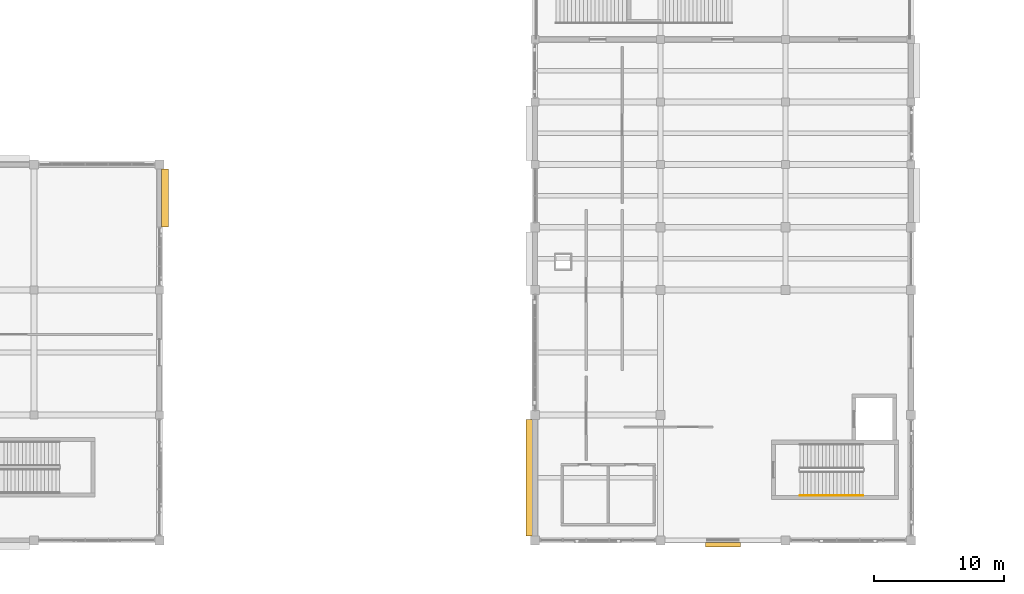
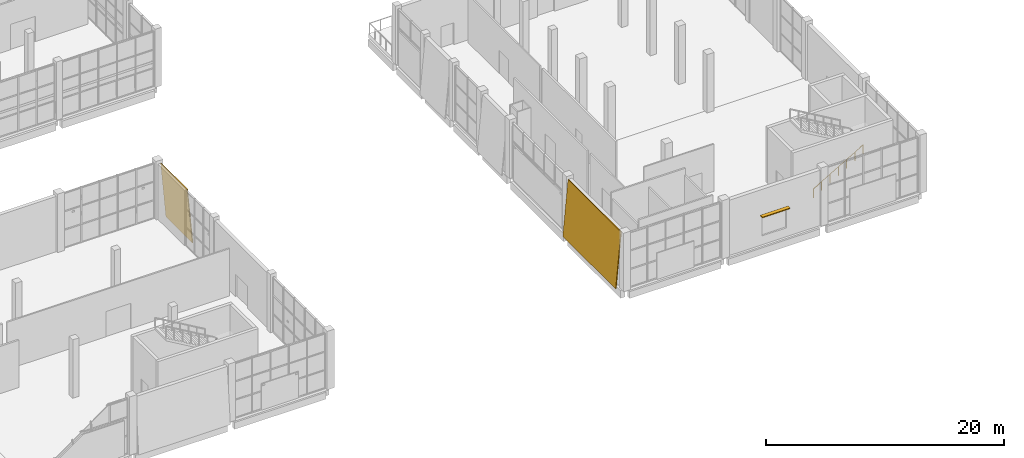
# One storey, part 72 of 84: 2 coverings, 1 railing, 1 shading device.
"""IFC4 building model written with IfcOpenShell, lengths in metres."""

from ifc_helpers import new_model, si_unit, direction, frame, origin, origin_2d, place, context, subcontext, project, spatial, polyline, rectangle, circle, outline, extrude, material, layer, layer_set, type_object, element, save


model = new_model("IFC4")

# Units and contexts
model_context = context("Model", 3, precision=1e-05, world=origin(), true_north=direction((0.0, 1.0)))
body_context = subcontext(model_context, "Body", "Model", "MODEL_VIEW")
ifc_project = project(units=[si_unit("LENGTHUNIT", "METRE"), si_unit("AREAUNIT", "SQUARE_METRE"), si_unit("VOLUMEUNIT", "CUBIC_METRE"), si_unit("PLANEANGLEUNIT", "RADIAN"), si_unit("MASSUNIT", "GRAM", prefix="KILO")], contexts=[model_context])

# Site, building, storey
site_placement = place(None, origin())
site = spatial("IfcSite", under=ifc_project, at=site_placement, CompositionType="ELEMENT")
building_placement = place(site_placement, origin())
building = spatial("IfcBuilding", under=site, at=building_placement, Name="Shalvenor Court Art Gallery", CompositionType="ELEMENT")
storey_placement = place(building_placement, origin())
storey = spatial("IfcBuildingStorey", under=building, at=storey_placement, Name="L00", CompositionType="ELEMENT", Elevation=0.0)

# Coverings
ifc_material_1 = material(Name="Pale Mediterranean limestone cladding", Category="masonry")
ifc_layer_1 = layer(ifc_material_1, 0.080078125, Name="Pale Mediterranean limestone cladding")
ifc_layer_set_1 = layer_set([ifc_layer_1], Name="Pale Mediterranean limestone cladding")
covering_type_1 = type_object("IfcCoveringType", Name="CLD-01", PredefinedType="CLADDING", material=ifc_layer_set_1)
covering_1_placement = place(storey_placement, frame((95.293212890625, 9.25, 0.0), z_axis=(0.0, 0.0, 1.0), x_axis=(0.0, -1.0, 0.0)))
element("IfcCovering", 1, at=covering_1_placement, inside=storey, type_object=covering_type_1, Name="L00 V3 Tapered Limestone Cladding 43", PredefinedType="CLADDING", context=body_context, shape_type="SweptSolid", body=[
    extrude(outline(polyline([(0.0, 0.0), (8.89990234375, 0.0), (8.89990234375, 5.703369140625), (0.0, 5.703369140625), (0.0, 0.0)])), frame((0.0, 0.0, 0.0), z_axis=(0.0, -0.995884398616, 0.090632580198), x_axis=(1.0, 0.0, 0.0)), (0.0, 0.090632580198, -0.995884398616), 0.080322265625),
])
ifc_material_2 = material(Name="Honed Jerusalem limestone cladding", Category="masonry")
ifc_layer_2 = layer(ifc_material_2, 0.06494140625, Name="Honed Jerusalem limestone cladding")
ifc_layer_set_2 = layer_set([ifc_layer_2], Name="Honed Jerusalem limestone cladding")
covering_type_2 = type_object("IfcCoveringType", Name="CLD-02", PredefinedType="CLADDING", material=ifc_layer_set_2)
covering_2_placement = place(storey_placement, frame((67.886962890625, 24.0, 0.0), z_axis=(0.0, 0.0, 1.0), x_axis=(0.0, 1.0, 0.0)))
element("IfcCovering", 2, at=covering_2_placement, inside=storey, type_object=covering_type_2, Name="L00 V4 Tapered Limestone Cladding 65", PredefinedType="CLADDING", context=body_context, shape_type="SweptSolid", body=[
    extrude(outline(polyline([(0.0, 0.0), (4.449951171875, 0.0), (4.449951171875, 5.703369140625), (0.0, 5.703369140625), (0.0, 0.0)])), frame((0.0, 0.0, 0.0), z_axis=(0.0, -0.995884398616, 0.090632580198), x_axis=(1.0, 0.0, 0.0)), (0.0, 0.090632580198, -0.995884398616), 0.080322265625),
])

# Railing
ifc_material_3 = material(Name="Brushed stainless steel handrail", Category="steel")
railing_type = type_object("IfcRailingType", Name="HR-01", PredefinedType="HANDRAIL", material=ifc_material_3)
railing_placement = place(storey_placement, frame((116.300048828125, 3.449951171875, 0.166748046875)))
element("IfcRailing", 3, at=railing_placement, inside=storey, type_object=railing_type, Name="L00 ST-04 Stair Handrail 1", PredefinedType="HANDRAIL", context=body_context, shape_type="SweptSolid", body=[
    extrude(circle(Radius=0.02392578125, at=origin_2d()), frame((0.0, 0.0, 0.8759765625), z_axis=(0.863234098208, 0.0, 0.504803815052), x_axis=(0.0, 1.0, 0.0)), (0.0, 0.0, 1.0), 5.612548828125),
    extrude(circle(Radius=0.02099609375, at=origin_2d()), origin(), (0.0, 0.0, 1.0), 0.851806640625),
    extrude(circle(Radius=0.02099609375, at=origin_2d()), frame((0.8076171875, 0.0, 0.47216796875)), (0.0, 0.0, 1.0), 0.851806640625),
    extrude(circle(Radius=0.02099609375, at=origin_2d()), frame((1.614990234375, 0.0, 0.9443359375)), (0.0, 0.0, 1.0), 0.851806640625),
    extrude(circle(Radius=0.02099609375, at=origin_2d()), frame((2.42236328125, 0.0, 1.41650390625)), (0.0, 0.0, 1.0), 0.851806640625),
    extrude(circle(Radius=0.02099609375, at=origin_2d()), frame((3.22998046875, 0.0, 1.888916015625)), (0.0, 0.0, 1.0), 0.851806640625),
    extrude(circle(Radius=0.02099609375, at=origin_2d()), frame((4.03759765625, 0.0, 2.361083984375)), (0.0, 0.0, 1.0), 0.851806640625),
    extrude(circle(Radius=0.02099609375, at=origin_2d()), frame((4.844970703125, 0.0, 2.833251953125)), (0.0, 0.0, 1.0), 0.851806640625),
])

# Shading device
ifc_material_4 = material(Name="Dark anodised bronze aluminium louvre", Category="aluminium")
shading_device_type = type_object("IfcShadingDeviceType", Name="SHD-01", PredefinedType="JALOUSIE", material=ifc_material_4)
shading_device_placement = place(storey_placement, frame((110.39990234375, -0.35009765625, 3.0), z_axis=(0.0, 0.0, 1.0), x_axis=(-1.0, 0.0, 0.0)))
element("IfcShadingDevice", 4, at=shading_device_placement, inside=storey, type_object=shading_device_type, Name="L00 Koushi Window Sunshade 50", PredefinedType="JALOUSIE", context=body_context, shape_type="SweptSolid", body=[
    extrude(rectangle(XDim=2.699951171875, YDim=0.360107421875, at=origin_2d()), origin(), (0.0, 0.0, 1.0), 0.080078125),
])

save(model, "model.ifc")
